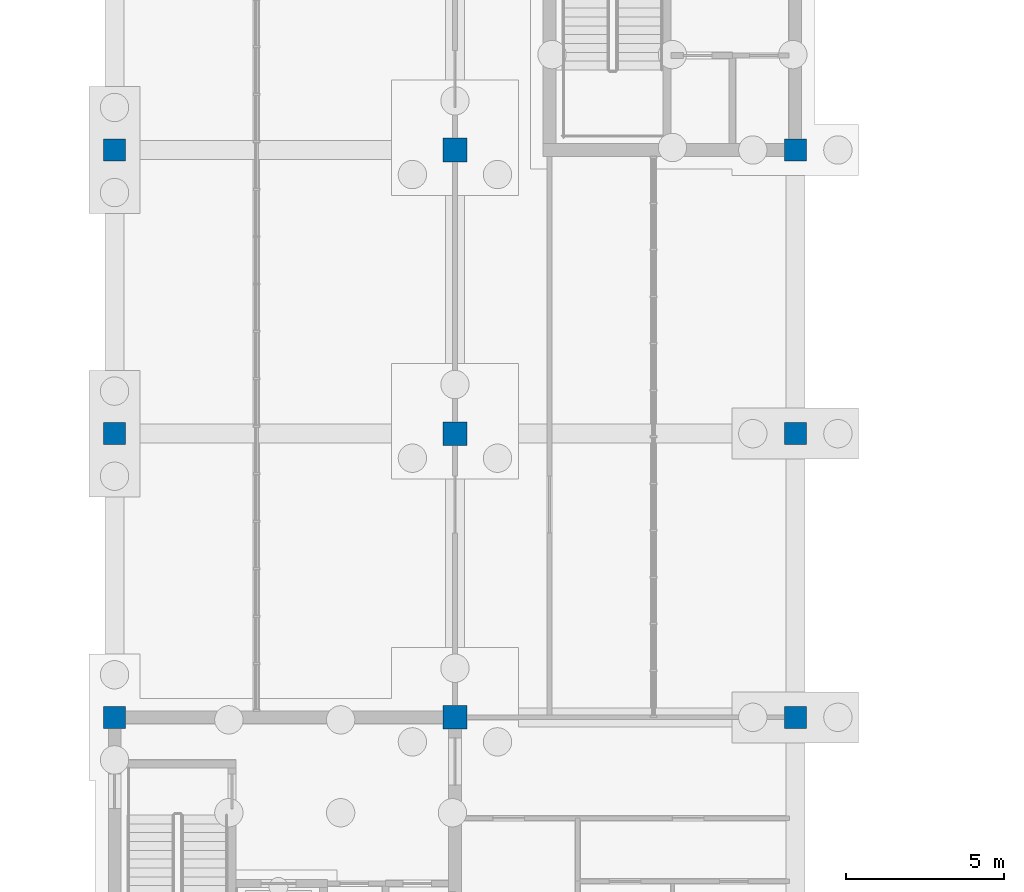
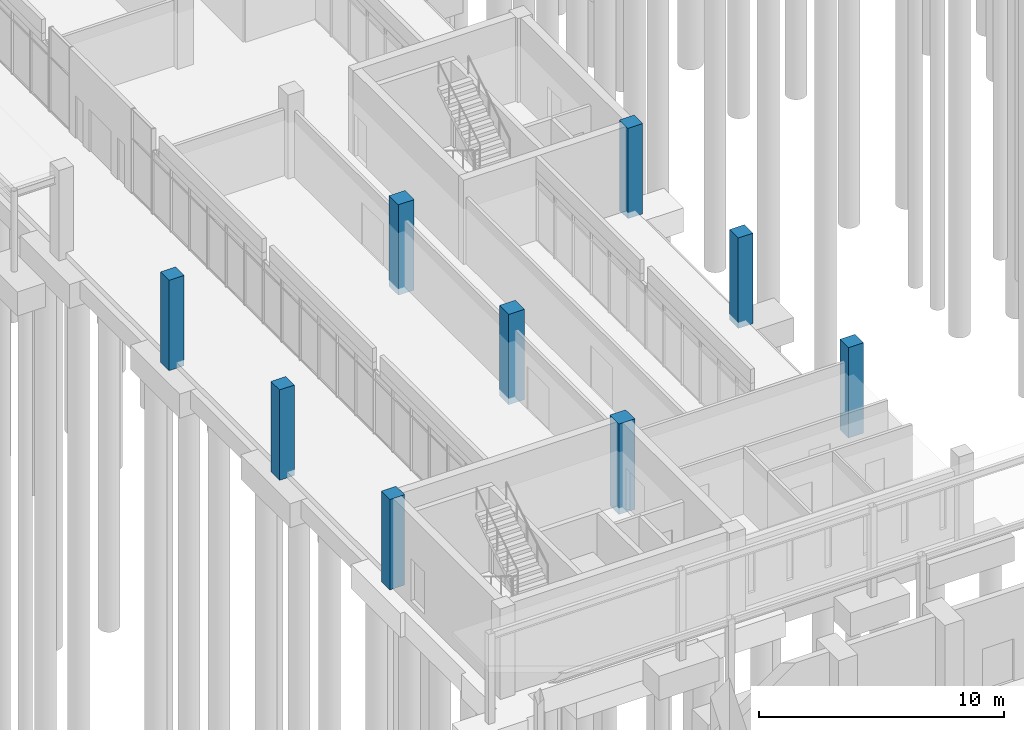
# One storey, part 16 of 106: 9 columns.
"""IFC4 building model written with IfcOpenShell, lengths in metres."""

from ifc_helpers import new_model, si_unit, direction, frame, origin, origin_2d, place, context, subcontext, project, spatial, rectangle, extrude, material, material_profile, profile_set, type_object, element, save


model = new_model("IFC4")

# Units and contexts
model_context = context("Model", 3, precision=1e-05, world=origin(), true_north=direction((0.0, 1.0)))
body_context = subcontext(model_context, "Body", "Model", "MODEL_VIEW")
ifc_project = project(units=[si_unit("LENGTHUNIT", "METRE"), si_unit("AREAUNIT", "SQUARE_METRE"), si_unit("VOLUMEUNIT", "CUBIC_METRE"), si_unit("PLANEANGLEUNIT", "RADIAN"), si_unit("MASSUNIT", "GRAM", prefix="KILO")], contexts=[model_context])

# Site, building, storey
site_placement = place(None, origin())
site = spatial("IfcSite", under=ifc_project, at=site_placement, CompositionType="ELEMENT")
building_placement = place(site_placement, origin())
building = spatial("IfcBuilding", under=site, at=building_placement, Name="Merrow Basin Faculty of Sciences", CompositionType="ELEMENT")
storey_placement = place(building_placement, origin())
storey = spatial("IfcBuildingStorey", under=building, at=storey_placement, Name="L00", CompositionType="ELEMENT", Elevation=0.0)

# Columns
ifc_material_1 = material(Name="Concrete C40/50", Category="concrete")
ifc_material_profile_1 = material_profile(ifc_material_1, rectangle(XDim=0.699951171875, YDim=0.699951171875, at=origin_2d()))
ifc_profile_set_1 = profile_set([ifc_material_profile_1], Name="Concrete C40/50")
column_type_1 = type_object("IfcColumnType", Name="Column RC700x700 C40/50", PredefinedType="COLUMN", material=ifc_profile_set_1)
for number, where, z_axis, x_axis, name in (
    (1, (0.0, 70.0, -0.300048828125), (0.0, 0.0, 1.0), (1.0, 0.0, 0.0), "Column A2 L00"),
    (2, (0.0, 79.0, -0.300048828125), (0.0, 0.0, 1.0), (1.0, 0.0, 0.0), "Column A3 L00"),
    (3, (0.0, 88.0, -0.300048828125), (0.0, 0.0, 1.0), (1.0, 0.0, 0.0), "Column A4 L00"),
    (4, (21.60009765625, 70.0, -0.300048828125), (0.0, 0.0, 1.0), (1.0, 0.0, 0.0), "Column C2 L00"),
    (5, (21.60009765625, 79.0, -0.300048828125), (0.0, 0.0, 1.0), (1.0, 0.0, 0.0), "Column C3 L00"),
    (6, (21.60009765625, 88.0, -0.300048828125), (0.0, 0.0, 1.0), (1.0, 0.0, 0.0), "Column C4 L00"),
):
    element("IfcColumn", number, at=place(storey_placement, frame(where, z_axis=z_axis, x_axis=x_axis)), inside=storey, type_object=column_type_1, Name=name, PredefinedType="COLUMN", context=body_context, shape_type="SweptSolid", body=[
        extrude(rectangle(XDim=0.699951171875, YDim=0.699951171875, at=origin_2d()), origin(), (0.0, 0.0, 1.0), 4.5),
    ])
ifc_material_2 = material(Name="Concrete C40/50", Category="concrete")
ifc_material_profile_2 = material_profile(ifc_material_2, rectangle(XDim=0.75, YDim=0.75, at=origin_2d()))
ifc_profile_set_2 = profile_set([ifc_material_profile_2], Name="Concrete C40/50")
column_type_2 = type_object("IfcColumnType", Name="Column RC750x750 C40/50", PredefinedType="COLUMN", material=ifc_profile_set_2)
for number, where, z_axis, x_axis, name in (
    (7, (10.800048828125, 70.0, -0.300048828125), (0.0, 0.0, 1.0), (1.0, 0.0, 0.0), "Column B2 L00"),
    (8, (10.800048828125, 79.0, -0.300048828125), (0.0, 0.0, 1.0), (1.0, 0.0, 0.0), "Column B3 L00"),
    (9, (10.800048828125, 88.0, -0.300048828125), (0.0, 0.0, 1.0), (1.0, 0.0, 0.0), "Column B4 L00"),
):
    element("IfcColumn", number, at=place(storey_placement, frame(where, z_axis=z_axis, x_axis=x_axis)), inside=storey, type_object=column_type_2, Name=name, PredefinedType="COLUMN", context=body_context, shape_type="SweptSolid", body=[
        extrude(rectangle(XDim=0.75, YDim=0.75, at=origin_2d()), origin(), (0.0, 0.0, 1.0), 4.5),
    ])

save(model, "model.ifc")
